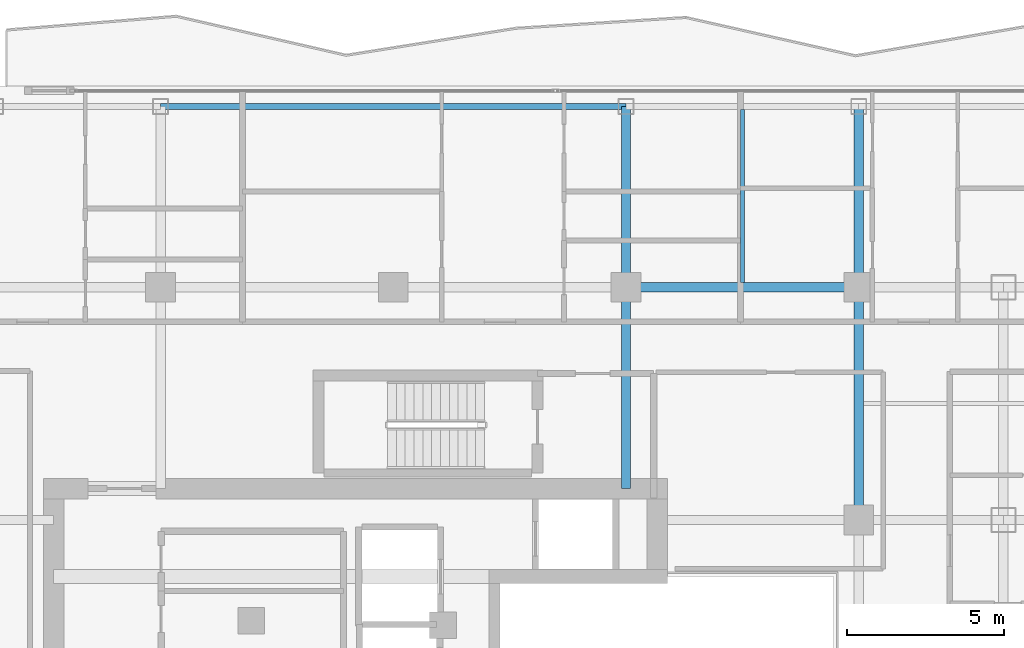
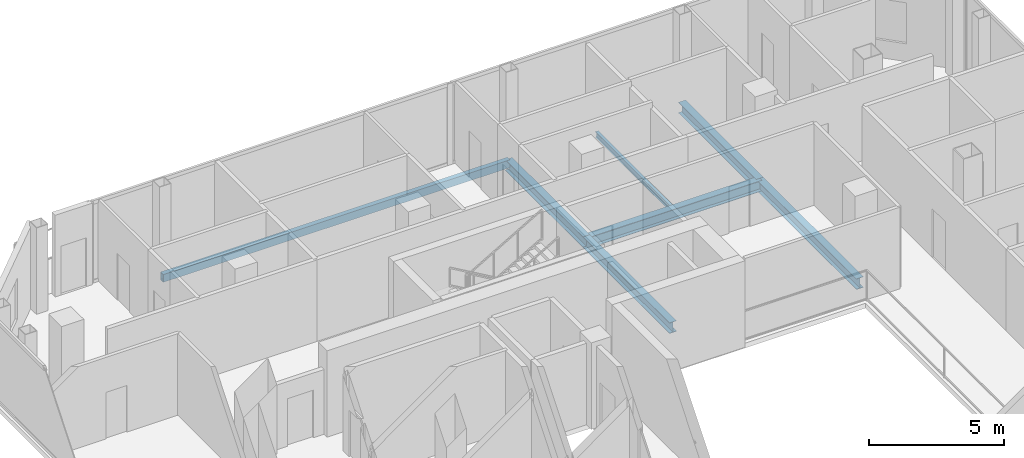
# One storey, part 12 of 23: 7 beams.
"""IFC4 building model written with IfcOpenShell, lengths in metres."""

from ifc_helpers import new_model, si_unit, direction, frame, origin, origin_2d, place, context, subcontext, project, spatial, hollow_rectangle, i_section, extrude, material, material_profile, profile_set, type_object, element, save


model = new_model("IFC4")

# Units and contexts
model_context = context("Model", 3, precision=1e-05, world=origin(), true_north=direction((0.0, 1.0)))
body_context = subcontext(model_context, "Body", "Model", "MODEL_VIEW")
ifc_project = project(units=[si_unit("LENGTHUNIT", "METRE"), si_unit("AREAUNIT", "SQUARE_METRE"), si_unit("VOLUMEUNIT", "CUBIC_METRE"), si_unit("PLANEANGLEUNIT", "RADIAN"), si_unit("MASSUNIT", "GRAM", prefix="KILO")], contexts=[model_context])

# Site, building, storey
site_placement = place(None, origin())
site = spatial("IfcSite", under=ifc_project, at=site_placement, CompositionType="ELEMENT")
building_placement = place(site_placement, origin())
building = spatial("IfcBuilding", under=site, at=building_placement, Name="Khorvyn Point Tower", CompositionType="ELEMENT")
storey_placement = place(building_placement, frame((0.0, 0.0, 258.60009765625)))
storey = spatial("IfcBuildingStorey", under=building, at=storey_placement, Name="L63", CompositionType="ELEMENT", Elevation=258.60009765625)

# Beams
ifc_material = material(Name="Steel S355", Category="steel")
ifc_material_profile_1 = material_profile(ifc_material, i_section(OverallWidth=0.125, OverallDepth=0.25, WebThickness=0.006103515625, FlangeThickness=0.009033203125, at=origin_2d()))
ifc_profile_set_1 = profile_set([ifc_material_profile_1], Name="Steel S355 H250x125x6x9")
beam_type_1 = type_object("IfcBeamType", Name="Steel S355 Joist H250x125x6x9", PredefinedType="JOIST", material=ifc_profile_set_1)
beam_1_placement = place(storey_placement, frame((11.10009765625, 14.949951171875, -0.34521484375), z_axis=(0.0, 1.0, 0.0), x_axis=(-1.0, 0.0, 0.0)))
element("IfcBeam", 1, at=beam_1_placement, inside=storey, type_object=beam_type_1, Name="Beam", PredefinedType="JOIST", context=body_context, shape_type="SweptSolid", body=[
    extrude(i_section(OverallWidth=0.125, OverallDepth=0.25, WebThickness=0.006103515625, FlangeThickness=0.009033203125, at=origin_2d()), origin(), (0.0, 0.0, 1.0), 5.5),
])
ifc_material_profile_2 = material_profile(ifc_material, i_section(OverallWidth=0.300048828125, OverallDepth=0.488037109375, WebThickness=0.010986328125, FlangeThickness=0.01806640625, at=origin_2d()))
ifc_profile_set_2 = profile_set([ifc_material_profile_2], Name="Steel S355 H488x300x11x18")
beam_type_2 = type_object("IfcBeamType", Name="Steel S355 Spandrel H488x300x11x18", PredefinedType="SPANDREL", material=ifc_profile_set_2)
for number, where, z_axis, x_axis, name in (
    (2, (7.39990234375, 14.800048828125, -0.464111328125), (1.0, 0.0, 0.0), (0.0, 1.0, 0.0), "Beam"),
    (3, (14.800048828125, 7.39990234375, -0.464111328125), (0.0, 1.0, 0.0), (-1.0, 0.0, 0.0), "Beam"),
):
    element("IfcBeam", number, at=place(storey_placement, frame(where, z_axis=z_axis, x_axis=x_axis)), inside=storey, type_object=beam_type_2, Name=name, PredefinedType="SPANDREL", context=body_context, shape_type="SweptSolid", body=[
        extrude(i_section(OverallWidth=0.300048828125, OverallDepth=0.488037109375, WebThickness=0.010986328125, FlangeThickness=0.01806640625, at=origin_2d()), origin(), (0.0, 0.0, 1.0), 7.400146484375),
    ])
beam_2_placement = place(storey_placement, frame((14.800048828125, 14.800048828125, -0.464111328125), z_axis=(0.0, 1.0, 0.0), x_axis=(-1.0, 0.0, 0.0)))
element("IfcBeam", 4, at=beam_2_placement, inside=storey, type_object=beam_type_2, Name="Beam", PredefinedType="SPANDREL", context=body_context, shape_type="SweptSolid", body=[
    extrude(i_section(OverallWidth=0.300048828125, OverallDepth=0.488037109375, WebThickness=0.010986328125, FlangeThickness=0.01806640625, at=origin_2d()), origin(), (0.0, 0.0, 1.0), 5.75),
])
beam_3_placement = place(storey_placement, frame((7.39990234375, 8.39990234375, -0.464111328125), z_axis=(0.0, 1.0, 0.0), x_axis=(-1.0, 0.0, 0.0)))
element("IfcBeam", 5, at=beam_3_placement, inside=storey, type_object=beam_type_2, Name="Beam", PredefinedType="SPANDREL", context=body_context, shape_type="SweptSolid", body=[
    extrude(i_section(OverallWidth=0.300048828125, OverallDepth=0.488037109375, WebThickness=0.010986328125, FlangeThickness=0.01806640625, at=origin_2d()), origin(), (0.0, 0.0, 1.0), 6.400146484375),
])
beam_4_placement = place(storey_placement, frame((7.39990234375, 14.800048828125, -0.464111328125), z_axis=(0.0, 1.0, 0.0), x_axis=(-1.0, 0.0, 0.0)))
element("IfcBeam", 6, at=beam_4_placement, inside=storey, type_object=beam_type_2, Name="Beam", PredefinedType="SPANDREL", context=body_context, shape_type="SweptSolid", body=[
    extrude(i_section(OverallWidth=0.300048828125, OverallDepth=0.488037109375, WebThickness=0.010986328125, FlangeThickness=0.01806640625, at=origin_2d()), origin(), (0.0, 0.0, 1.0), 5.75),
])
ifc_material_profile_3 = material_profile(ifc_material, hollow_rectangle(XDim=0.199951171875, YDim=0.35009765625, WallThickness=0.013916015625, at=origin_2d()))
ifc_profile_set_3 = profile_set([ifc_material_profile_3], Name="Steel S355 RHS350x200x14")
beam_type_3 = type_object("IfcBeamType", Name="Steel S355 Spandrel RHS350x200x14", PredefinedType="SPANDREL", material=ifc_profile_set_3)
beam_5_placement = place(storey_placement, frame((-7.39990234375, 20.550048828125, -0.39501953125), z_axis=(1.0, 0.0, 0.0), x_axis=(0.0, 1.0, 0.0)))
element("IfcBeam", 7, at=beam_5_placement, inside=storey, type_object=beam_type_3, Name="Beam", PredefinedType="SPANDREL", context=body_context, shape_type="SweptSolid", body=[
    extrude(hollow_rectangle(XDim=0.199951171875, YDim=0.35009765625, WallThickness=0.013916015625, at=origin_2d()), origin(), (0.0, 0.0, 1.0), 14.7998046875),
])

save(model, "model.ifc")
